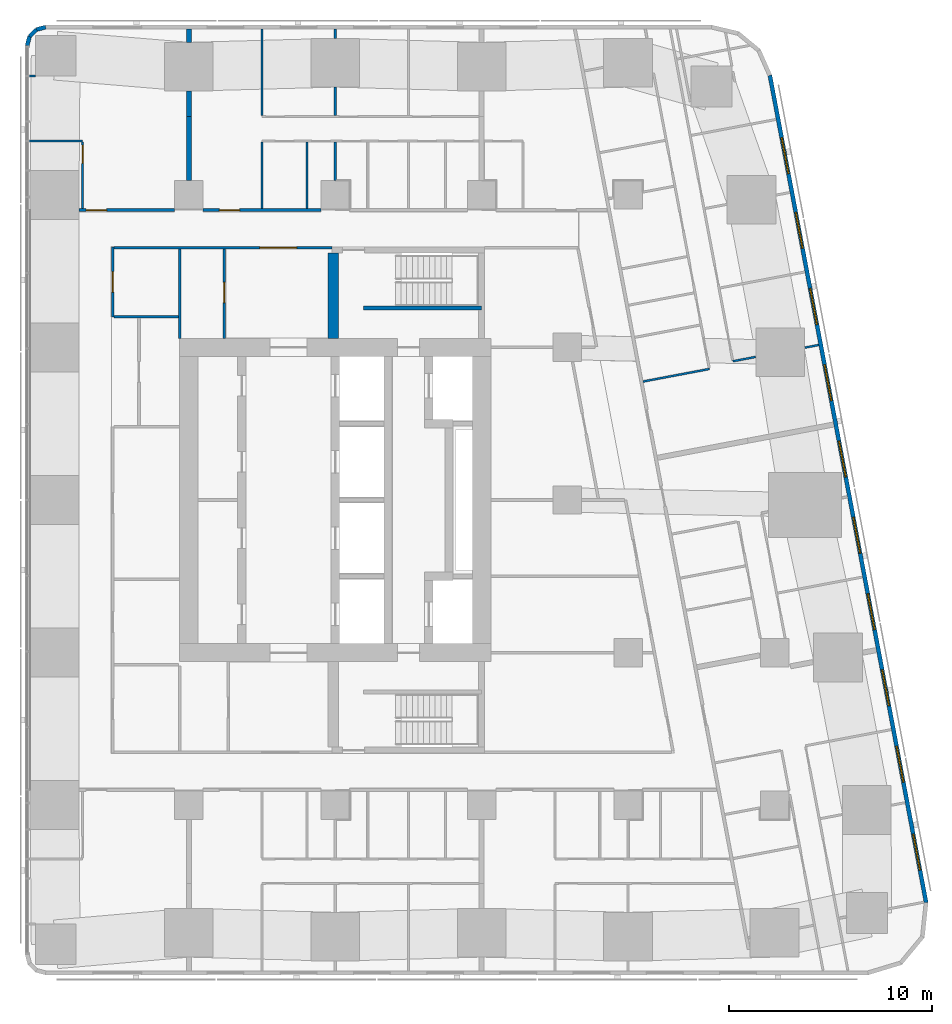
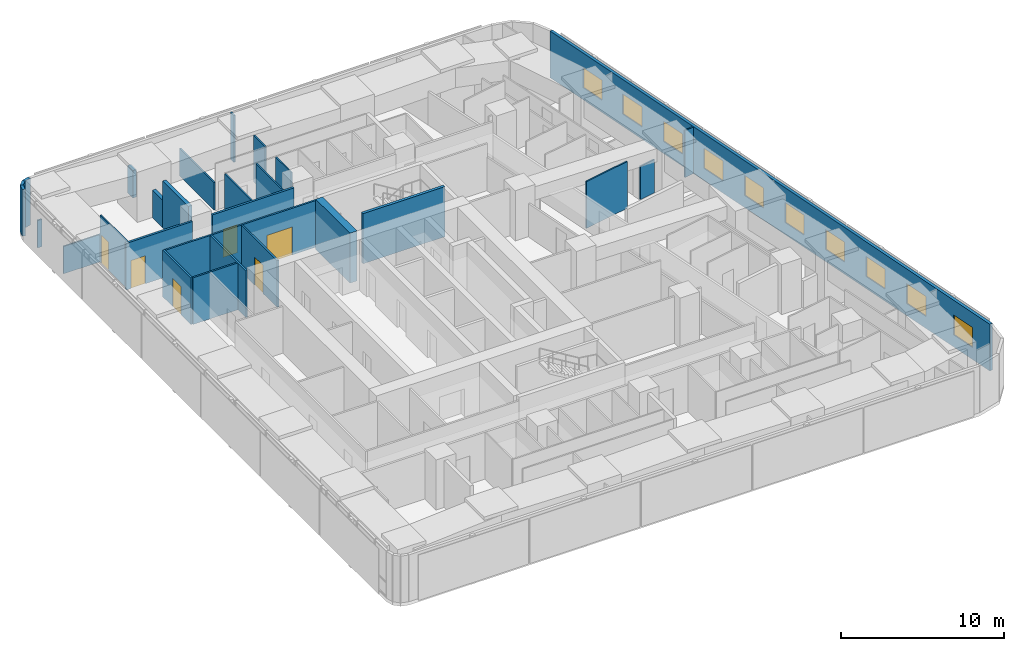
# One storey, part 15 of 19: 28 walls, 10 windows, 6 doors, 16 openings.
"""IFC4 building model written with IfcOpenShell, lengths in metres."""

from ifc_helpers import new_model, si_unit, direction, frame, frame_2d, origin, place, context, subcontext, project, spatial, rectangle, extrude, material, layer, layer_set, type_object, element, fill, save


model = new_model("IFC4")

# Units and contexts
model_context = context("Model", 3, precision=1e-05, world=origin(), true_north=direction((0.0, 1.0)))
body_context = subcontext(model_context, "Body", "Model", "MODEL_VIEW")
ifc_project = project(units=[si_unit("LENGTHUNIT", "METRE"), si_unit("AREAUNIT", "SQUARE_METRE"), si_unit("VOLUMEUNIT", "CUBIC_METRE"), si_unit("PLANEANGLEUNIT", "RADIAN"), si_unit("MASSUNIT", "GRAM", prefix="KILO")], contexts=[model_context])

# Site, building, storey
site_placement = place(None, origin())
site = spatial("IfcSite", under=ifc_project, at=site_placement, CompositionType="ELEMENT")
building_placement = place(site_placement, origin())
building = spatial("IfcBuilding", under=site, at=building_placement, Name="Sheger Commons Tower", CompositionType="ELEMENT")
storey_placement = place(building_placement, frame((0.0, 0.0, 197.449951171875)))
storey = spatial("IfcBuildingStorey", under=building, at=storey_placement, Name="L50", CompositionType="ELEMENT", Elevation=197.449951171875)

# Wall, opening, door
ifc_material_1 = material(Name="Hollow concrete block masonry, skimmed both sides", Category="masonry")
ifc_layer_1 = layer(ifc_material_1, 0.14990234375)
ifc_layer_set_1 = layer_set([ifc_layer_1], Name="CORRIDOR WALL 150")
wall_type_1 = type_object("IfcWallType", Name="CORRIDOR WALL 150", PredefinedType="SOLIDWALL", material=ifc_layer_set_1)
wall_1_placement = place(storey_placement, frame((9.0009765625, 36.75, 0.0), z_axis=(0.0, 0.0, 1.0), x_axis=(1.0, 0.0, 0.0)))
wall_1 = element("IfcWall", 1, at=wall_1_placement, inside=storey, type_object=wall_type_1, Name="Corridor wall L50", PredefinedType="SOLIDWALL", context=body_context, shape_type="SweptSolid", body=[
    extrude(rectangle(XDim=4.697998046875, YDim=0.14990234375, at=frame_2d((2.34912109375, 0.0))), origin(), (0.0, 0.0, 1.0), 3.5),
])
opening_1_placement = place(wall_1_placement, frame((0.35302734375, 0.0, 0.0)))
opening_1 = element("IfcOpeningElement", 2, at=opening_1_placement, cuts=wall_1, Name="Opening D1", PredefinedType="OPENING", context=body_context, shape_type="SweptSolid", body=[
    extrude(rectangle(XDim=1.0, YDim=2.10009765625, at=frame_2d((0.5, 1.050048828125))), frame((0.0, 0.0849609375, 0.0), z_axis=(0.0, -1.0, 0.0), x_axis=(1.0, 0.0, 0.0)), (0.0, 0.0, 1.0), 0.169921875),
])
ifc_material_2 = material(Name="Steel door set, fire rated", Category="steel")
door_type_1 = type_object("IfcDoorType", Name="FLAT ENTRANCE DOOR 1000x2100", OperationType="NOTDEFINED", PredefinedType="DOOR", material=ifc_material_2)
door_1_placement = place(opening_1_placement, origin())
door_1 = element("IfcDoor", 3, at=door_1_placement, inside=storey, type_object=door_type_1, Name="Flat entrance door", OperationType="SINGLE_SWING_RIGHT", OverallHeight=2.10009765625, OverallWidth=1.0, PredefinedType="DOOR", context=body_context, shape_type="SweptSolid", body=[
    extrude(rectangle(XDim=1.0, YDim=2.10009765625, at=frame_2d((0.5, 1.050048828125))), frame((0.0, 0.02490234375, 0.0), z_axis=(0.0, -1.0, 0.0), x_axis=(1.0, 0.0, 0.0)), (0.0, 0.0, 1.0), 0.050048828125),
])
fill(opening_1, door_1)

wall_2_placement = place(storey_placement, frame((15.10107421875, 36.75, 0.0), z_axis=(0.0, 0.0, 1.0), x_axis=(1.0, 0.0, 0.0)))
wall_2 = element("IfcWall", 4, at=wall_2_placement, inside=storey, type_object=wall_type_1, Name="Corridor wall L50", PredefinedType="SOLIDWALL", context=body_context, shape_type="SweptSolid", body=[
    extrude(rectangle(XDim=5.7978515625, YDim=0.14990234375, at=frame_2d((2.89892578125, 0.0))), origin(), (0.0, 0.0, 1.0), 3.5),
])
opening_2_placement = place(wall_2_placement, frame((0.799072265625, 0.0, 0.0)))
opening_2 = element("IfcOpeningElement", 5, at=opening_2_placement, cuts=wall_2, Name="Opening D1", PredefinedType="OPENING", context=body_context, shape_type="SweptSolid", body=[
    extrude(rectangle(XDim=1.0, YDim=2.10009765625, at=frame_2d((0.5, 1.050048828125))), frame((0.0, 0.0849609375, 0.0), z_axis=(0.0, -1.0, 0.0), x_axis=(1.0, 0.0, 0.0)), (0.0, 0.0, 1.0), 0.169921875),
])
door_2_placement = place(opening_2_placement, origin())
door_2 = element("IfcDoor", 6, at=door_2_placement, inside=storey, type_object=door_type_1, Name="Flat entrance door", OperationType="SINGLE_SWING_LEFT", OverallHeight=2.10009765625, OverallWidth=1.0, PredefinedType="DOOR", context=body_context, shape_type="SweptSolid", body=[
    extrude(rectangle(XDim=1.0, YDim=2.10009765625, at=frame_2d((0.5, 1.050048828125))), frame((0.0, 0.02490234375, 0.0), z_axis=(0.0, -1.0, 0.0), x_axis=(1.0, 0.0, 0.0)), (0.0, 0.0, 1.0), 0.050048828125),
])
fill(opening_2, door_2)

# Walls
ifc_material_3 = material(Name="Dense concrete block masonry, plastered both sides (separating wall between flats)", Category="masonry")
ifc_layer_2 = layer(ifc_material_3, 0.25)
ifc_layer_set_2 = layer_set([ifc_layer_2], Name="DEMISING WALL 250")
wall_type_2 = type_object("IfcWallType", Name="DEMISING WALL 250", PredefinedType="SOLIDWALL", material=ifc_layer_set_2)
wall_3_placement = place(storey_placement, frame((14.39990234375, 41.35009765625, 0.0), z_axis=(0.0, 0.0, 1.0), x_axis=(0.0, 1.0, 0.0)))
element("IfcWall", 7, at=wall_3_placement, inside=storey, type_object=wall_type_2, Name="Demising wall L50", PredefinedType="SOLIDWALL", context=body_context, shape_type="SweptSolid", body=[
    extrude(rectangle(XDim=1.2490234375, YDim=0.25, at=frame_2d((0.62451171875, 0.0))), origin(), (0.0, 0.0, 1.0), 2.050048828125),
])
wall_4_placement = place(storey_placement, frame((14.39990234375, 45.0009765625, 0.0), z_axis=(0.0, 0.0, 1.0), x_axis=(0.0, 1.0, 0.0)))
element("IfcWall", 8, at=wall_4_placement, inside=storey, type_object=wall_type_2, Name="Demising wall L50", PredefinedType="SOLIDWALL", context=body_context, shape_type="SweptSolid", body=[
    extrude(rectangle(XDim=0.64892578125, YDim=0.25, at=frame_2d((0.324462890625, 0.0))), origin(), (0.0, 0.0, 1.0), 2.050048828125),
])
wall_5_placement = place(storey_placement, frame((14.39990234375, 38.200927734375, 0.0), z_axis=(0.0, 0.0, 1.0), x_axis=(0.0, 1.0, 0.0)))
element("IfcWall", 9, at=wall_5_placement, inside=storey, type_object=wall_type_2, Name="Demising wall L50", PredefinedType="SOLIDWALL", context=body_context, shape_type="SweptSolid", body=[
    extrude(rectangle(XDim=3.149169921875, YDim=0.25, at=frame_2d((1.57470703125, 0.0))), origin(), (0.0, 0.0, 1.0), 3.5),
])

# Wall, openings, windows
ifc_material_4 = material(Name="Rendered concrete block masonry, dark grey", Category="masonry")
ifc_layer_3 = layer(ifc_material_4, 0.199951171875)
ifc_layer_set_3 = layer_set([ifc_layer_3], Name="FACADE WALL 200")
wall_type_3 = type_object("IfcWallType", Name="FACADE WALL 200", PredefinedType="SOLIDWALL", material=ifc_layer_set_3)
wall_6_placement = place(storey_placement, frame((50.653076171875, 2.702880859375, 0.0), z_axis=(0.0, 0.0, 1.0), x_axis=(-0.185612026696, 0.982623109613, 0.0)))
wall_6 = element("IfcWall", 10, at=wall_6_placement, inside=storey, type_object=wall_type_3, Name="Facade wall L50", PredefinedType="SOLIDWALL", context=body_context, shape_type="SweptSolid", body=[
    extrude(rectangle(XDim=41.393310546875, YDim=0.199951171875, at=frame_2d((20.69677734375, 0.0))), origin(), (0.0, 0.0, 1.0), 3.5),
])
opening_3_placement = place(wall_6_placement, frame((1.633056640625, 0.0, 0.89990234375)))
opening_3 = element("IfcOpeningElement", 11, at=opening_3_placement, cuts=wall_6, Name="Opening W2", PredefinedType="OPENING", context=body_context, shape_type="SweptSolid", body=[
    extrude(rectangle(XDim=1.800048828125, YDim=1.5, at=frame_2d((0.89990234375, 0.75))), frame((0.0, 0.10986328125, 0.0), z_axis=(0.0, -1.0, 0.0), x_axis=(1.0, 0.0, 0.0)), (0.0, 0.0, 1.0), 0.219970703125),
])
opening_4_placement = place(wall_6_placement, frame((6.031982421875, 0.0, 0.89990234375)))
opening_4 = element("IfcOpeningElement", 12, at=opening_4_placement, cuts=wall_6, Name="Opening W2", PredefinedType="OPENING", context=body_context, shape_type="SweptSolid", body=[
    extrude(rectangle(XDim=1.800048828125, YDim=1.5, at=frame_2d((0.89990234375, 0.75))), frame((0.0, 0.10986328125, 0.0), z_axis=(0.0, -1.0, 0.0), x_axis=(1.0, 0.0, 0.0)), (0.0, 0.0, 1.0), 0.219970703125),
])
opening_5_placement = place(wall_6_placement, frame((9.847900390625, 0.0, 0.89990234375)))
opening_5 = element("IfcOpeningElement", 13, at=opening_5_placement, cuts=wall_6, Name="Opening W2", PredefinedType="OPENING", context=body_context, shape_type="SweptSolid", body=[
    extrude(rectangle(XDim=1.800048828125, YDim=1.5, at=frame_2d((0.89990234375, 0.75))), frame((0.0, 0.10986328125, 0.0), z_axis=(0.0, -1.0, 0.0), x_axis=(1.0, 0.0, 0.0)), (0.0, 0.0, 1.0), 0.219970703125),
])
opening_6_placement = place(wall_6_placement, frame((13.6640625, 0.0, 0.89990234375)))
opening_6 = element("IfcOpeningElement", 14, at=opening_6_placement, cuts=wall_6, Name="Opening W2", PredefinedType="OPENING", context=body_context, shape_type="SweptSolid", body=[
    extrude(rectangle(XDim=1.800048828125, YDim=1.5, at=frame_2d((0.89990234375, 0.75))), frame((0.0, 0.10986328125, 0.0), z_axis=(0.0, -1.0, 0.0), x_axis=(1.0, 0.0, 0.0)), (0.0, 0.0, 1.0), 0.219970703125),
])
opening_7_placement = place(wall_6_placement, frame((17.48095703125, 0.0, 0.89990234375)))
opening_7 = element("IfcOpeningElement", 15, at=opening_7_placement, cuts=wall_6, Name="Opening W2", PredefinedType="OPENING", context=body_context, shape_type="SweptSolid", body=[
    extrude(rectangle(XDim=1.800048828125, YDim=1.5, at=frame_2d((0.89990234375, 0.75))), frame((0.0, 0.10986328125, 0.0), z_axis=(0.0, -1.0, 0.0), x_axis=(1.0, 0.0, 0.0)), (0.0, 0.0, 1.0), 0.219970703125),
])
opening_8_placement = place(wall_6_placement, frame((21.297119140625, 0.0, 0.89990234375)))
opening_8 = element("IfcOpeningElement", 16, at=opening_8_placement, cuts=wall_6, Name="Opening W2", PredefinedType="OPENING", context=body_context, shape_type="SweptSolid", body=[
    extrude(rectangle(XDim=1.800048828125, YDim=1.5, at=frame_2d((0.89990234375, 0.75))), frame((0.0, 0.10986328125, 0.0), z_axis=(0.0, -1.0, 0.0), x_axis=(1.0, 0.0, 0.0)), (0.0, 0.0, 1.0), 0.219970703125),
])
opening_9_placement = place(wall_6_placement, frame((25.113037109375, 0.0, 0.89990234375)))
opening_9 = element("IfcOpeningElement", 17, at=opening_9_placement, cuts=wall_6, Name="Opening W2", PredefinedType="OPENING", context=body_context, shape_type="SweptSolid", body=[
    extrude(rectangle(XDim=1.800048828125, YDim=1.5, at=frame_2d((0.89990234375, 0.75))), frame((0.0, 0.10986328125, 0.0), z_axis=(0.0, -1.0, 0.0), x_axis=(1.0, 0.0, 0.0)), (0.0, 0.0, 1.0), 0.219970703125),
])
opening_10_placement = place(wall_6_placement, frame((28.929931640625, 0.0, 0.89990234375)))
opening_10 = element("IfcOpeningElement", 18, at=opening_10_placement, cuts=wall_6, Name="Opening W2", PredefinedType="OPENING", context=body_context, shape_type="SweptSolid", body=[
    extrude(rectangle(XDim=1.800048828125, YDim=1.5, at=frame_2d((0.89990234375, 0.75))), frame((0.0, 0.10986328125, 0.0), z_axis=(0.0, -1.0, 0.0), x_axis=(1.0, 0.0, 0.0)), (0.0, 0.0, 1.0), 0.219970703125),
])
opening_11_placement = place(wall_6_placement, frame((32.74609375, 0.0, 0.89990234375)))
opening_11 = element("IfcOpeningElement", 19, at=opening_11_placement, cuts=wall_6, Name="Opening W2", PredefinedType="OPENING", context=body_context, shape_type="SweptSolid", body=[
    extrude(rectangle(XDim=1.800048828125, YDim=1.5, at=frame_2d((0.89990234375, 0.75))), frame((0.0, 0.10986328125, 0.0), z_axis=(0.0, -1.0, 0.0), x_axis=(1.0, 0.0, 0.0)), (0.0, 0.0, 1.0), 0.219970703125),
])
opening_12_placement = place(wall_6_placement, frame((36.48095703125, 0.0, 0.89990234375)))
opening_12 = element("IfcOpeningElement", 20, at=opening_12_placement, cuts=wall_6, Name="Opening W2", PredefinedType="OPENING", context=body_context, shape_type="SweptSolid", body=[
    extrude(rectangle(XDim=1.800048828125, YDim=1.5, at=frame_2d((0.89990234375, 0.75))), frame((0.0, 0.10986328125, 0.0), z_axis=(0.0, -1.0, 0.0), x_axis=(1.0, 0.0, 0.0)), (0.0, 0.0, 1.0), 0.219970703125),
])
ifc_material_5 = material(Name="Black aluminium frame, dark tinted double glazing", Category="aluminium")
window_type = type_object("IfcWindowType", Name="WINDOW W2 1800x1500", PartitioningType="SINGLE_PANEL", PredefinedType="WINDOW", material=ifc_material_5)
window_1_placement = place(opening_3_placement, origin())
window_1 = element("IfcWindow", 21, at=window_1_placement, inside=storey, type_object=window_type, Name="Window W2 1800X1500", OverallHeight=1.5, OverallWidth=1.800048828125, PartitioningType="SINGLE_PANEL", PredefinedType="WINDOW", context=body_context, shape_type="SweptSolid", body=[
    extrude(rectangle(XDim=1.800048828125, YDim=1.5, at=frame_2d((0.89990234375, 0.75))), frame((0.0, 0.030029296875, 0.0), z_axis=(0.0, -1.0, 0.0), x_axis=(1.0, 0.0, 0.0)), (0.0, 0.0, 1.0), 0.06005859375),
])
fill(opening_3, window_1)
window_2_placement = place(opening_4_placement, origin())
window_2 = element("IfcWindow", 22, at=window_2_placement, inside=storey, type_object=window_type, Name="Window W2 1800X1500", OverallHeight=1.5, OverallWidth=1.800048828125, PartitioningType="SINGLE_PANEL", PredefinedType="WINDOW", context=body_context, shape_type="SweptSolid", body=[
    extrude(rectangle(XDim=1.800048828125, YDim=1.5, at=frame_2d((0.89990234375, 0.75))), frame((0.0, 0.030029296875, 0.0), z_axis=(0.0, -1.0, 0.0), x_axis=(1.0, 0.0, 0.0)), (0.0, 0.0, 1.0), 0.06005859375),
])
fill(opening_4, window_2)
window_3_placement = place(opening_5_placement, origin())
window_3 = element("IfcWindow", 23, at=window_3_placement, inside=storey, type_object=window_type, Name="Window W2 1800X1500", OverallHeight=1.5, OverallWidth=1.800048828125, PartitioningType="SINGLE_PANEL", PredefinedType="WINDOW", context=body_context, shape_type="SweptSolid", body=[
    extrude(rectangle(XDim=1.800048828125, YDim=1.5, at=frame_2d((0.89990234375, 0.75))), frame((0.0, 0.030029296875, 0.0), z_axis=(0.0, -1.0, 0.0), x_axis=(1.0, 0.0, 0.0)), (0.0, 0.0, 1.0), 0.06005859375),
])
fill(opening_5, window_3)
window_4_placement = place(opening_6_placement, origin())
window_4 = element("IfcWindow", 24, at=window_4_placement, inside=storey, type_object=window_type, Name="Window W2 1800X1500", OverallHeight=1.5, OverallWidth=1.800048828125, PartitioningType="SINGLE_PANEL", PredefinedType="WINDOW", context=body_context, shape_type="SweptSolid", body=[
    extrude(rectangle(XDim=1.800048828125, YDim=1.5, at=frame_2d((0.89990234375, 0.75))), frame((0.0, 0.030029296875, 0.0), z_axis=(0.0, -1.0, 0.0), x_axis=(1.0, 0.0, 0.0)), (0.0, 0.0, 1.0), 0.06005859375),
])
fill(opening_6, window_4)
window_5_placement = place(opening_7_placement, origin())
window_5 = element("IfcWindow", 25, at=window_5_placement, inside=storey, type_object=window_type, Name="Window W2 1800X1500", OverallHeight=1.5, OverallWidth=1.800048828125, PartitioningType="SINGLE_PANEL", PredefinedType="WINDOW", context=body_context, shape_type="SweptSolid", body=[
    extrude(rectangle(XDim=1.800048828125, YDim=1.5, at=frame_2d((0.89990234375, 0.75))), frame((0.0, 0.030029296875, 0.0), z_axis=(0.0, -1.0, 0.0), x_axis=(1.0, 0.0, 0.0)), (0.0, 0.0, 1.0), 0.06005859375),
])
fill(opening_7, window_5)
window_6_placement = place(opening_8_placement, origin())
window_6 = element("IfcWindow", 26, at=window_6_placement, inside=storey, type_object=window_type, Name="Window W2 1800X1500", OverallHeight=1.5, OverallWidth=1.800048828125, PartitioningType="SINGLE_PANEL", PredefinedType="WINDOW", context=body_context, shape_type="SweptSolid", body=[
    extrude(rectangle(XDim=1.800048828125, YDim=1.5, at=frame_2d((0.89990234375, 0.75))), frame((0.0, 0.030029296875, 0.0), z_axis=(0.0, -1.0, 0.0), x_axis=(1.0, 0.0, 0.0)), (0.0, 0.0, 1.0), 0.06005859375),
])
fill(opening_8, window_6)
window_7_placement = place(opening_9_placement, origin())
window_7 = element("IfcWindow", 27, at=window_7_placement, inside=storey, type_object=window_type, Name="Window W2 1800X1500", OverallHeight=1.5, OverallWidth=1.800048828125, PartitioningType="SINGLE_PANEL", PredefinedType="WINDOW", context=body_context, shape_type="SweptSolid", body=[
    extrude(rectangle(XDim=1.800048828125, YDim=1.5, at=frame_2d((0.89990234375, 0.75))), frame((0.0, 0.030029296875, 0.0), z_axis=(0.0, -1.0, 0.0), x_axis=(1.0, 0.0, 0.0)), (0.0, 0.0, 1.0), 0.06005859375),
])
fill(opening_9, window_7)
window_8_placement = place(opening_10_placement, origin())
window_8 = element("IfcWindow", 28, at=window_8_placement, inside=storey, type_object=window_type, Name="Window W2 1800X1500", OverallHeight=1.5, OverallWidth=1.800048828125, PartitioningType="SINGLE_PANEL", PredefinedType="WINDOW", context=body_context, shape_type="SweptSolid", body=[
    extrude(rectangle(XDim=1.800048828125, YDim=1.5, at=frame_2d((0.89990234375, 0.75))), frame((0.0, 0.030029296875, 0.0), z_axis=(0.0, -1.0, 0.0), x_axis=(1.0, 0.0, 0.0)), (0.0, 0.0, 1.0), 0.06005859375),
])
fill(opening_10, window_8)
window_9_placement = place(opening_11_placement, origin())
window_9 = element("IfcWindow", 29, at=window_9_placement, inside=storey, type_object=window_type, Name="Window W2 1800X1500", OverallHeight=1.5, OverallWidth=1.800048828125, PartitioningType="SINGLE_PANEL", PredefinedType="WINDOW", context=body_context, shape_type="SweptSolid", body=[
    extrude(rectangle(XDim=1.800048828125, YDim=1.5, at=frame_2d((0.89990234375, 0.75))), frame((0.0, 0.030029296875, 0.0), z_axis=(0.0, -1.0, 0.0), x_axis=(1.0, 0.0, 0.0)), (0.0, 0.0, 1.0), 0.06005859375),
])
fill(opening_11, window_9)
window_10_placement = place(opening_12_placement, origin())
window_10 = element("IfcWindow", 30, at=window_10_placement, inside=storey, type_object=window_type, Name="Window W2 1800X1500", OverallHeight=1.5, OverallWidth=1.800048828125, PartitioningType="SINGLE_PANEL", PredefinedType="WINDOW", context=body_context, shape_type="SweptSolid", body=[
    extrude(rectangle(XDim=1.800048828125, YDim=1.5, at=frame_2d((0.89990234375, 0.75))), frame((0.0, 0.030029296875, 0.0), z_axis=(0.0, -1.0, 0.0), x_axis=(1.0, 0.0, 0.0)), (0.0, 0.0, 1.0), 0.06005859375),
])
fill(opening_12, window_10)

# Walls
wall_7_placement = place(storey_placement, frame((7.363037109375, 45.75, 0.0), z_axis=(0.0, 0.0, 1.0), x_axis=(-0.965655254015, -0.259826731483, 0.0)))
element("IfcWall", 31, at=wall_7_placement, inside=storey, type_object=wall_type_3, Name="Facade wall L50", PredefinedType="SOLIDWALL", context=body_context, shape_type="SweptSolid", body=[
    extrude(rectangle(XDim=0.477294921875, YDim=0.199951171875, at=frame_2d((0.23876953125, 0.0))), origin(), (0.0, 0.0, 1.0), 3.5),
])
wall_8_placement = place(storey_placement, frame((6.902099609375, 45.6259765625, 0.0), z_axis=(0.0, 0.0, 1.0), x_axis=(-0.707369890659, -0.706843573776, 0.0)))
element("IfcWall", 32, at=wall_8_placement, inside=storey, type_object=wall_type_3, Name="Facade wall L50", PredefinedType="SOLIDWALL", context=body_context, shape_type="SweptSolid", body=[
    extrude(rectangle(XDim=0.4638671875, YDim=0.199951171875, at=frame_2d((0.23193359375, 0.0))), origin(), (0.0, 0.0, 1.0), 3.5),
])
wall_9_placement = place(storey_placement, frame((6.573974609375, 45.298095703125, 0.0), z_axis=(0.0, 0.0, 1.0), x_axis=(-0.259698463175, -0.965689757751, 0.0)))
element("IfcWall", 33, at=wall_9_placement, inside=storey, type_object=wall_type_3, Name="Facade wall L50", PredefinedType="SOLIDWALL", context=body_context, shape_type="SweptSolid", body=[
    extrude(rectangle(XDim=0.4775390625, YDim=0.199951171875, at=frame_2d((0.23876953125, 0.0))), origin(), (0.0, 0.0, 1.0), 3.5),
])
ifc_material_6 = material(Name="Gypsum board on steel studs", Category="steel")
ifc_layer_4 = layer(ifc_material_6, 0.10009765625)
ifc_layer_set_4 = layer_set([ifc_layer_4], Name="PARTITION 100")
wall_type_4 = type_object("IfcWallType", Name="PARTITION 100", PredefinedType="PARTITIONING", material=ifc_layer_set_4)
wall_10_placement = place(storey_placement, frame((45.3720703125, 30.12109375, 0.0), z_axis=(0.0, 0.0, 1.0), x_axis=(-0.98254419619, -0.186029305578, 0.0)))
element("IfcWall", 34, at=wall_10_placement, inside=storey, type_object=wall_type_4, Name="Partition L50", PredefinedType="PARTITIONING", context=body_context, shape_type="SweptSolid", body=[
    extrude(rectangle(XDim=0.6943359375, YDim=0.10009765625, at=frame_2d((0.34716796875, 0.0))), origin(), (0.0, 0.0, 1.0), 3.5),
])
wall_11_placement = place(storey_placement, frame((42.27001953125, 29.534912109375, 0.0), z_axis=(0.0, 0.0, 1.0), x_axis=(-0.982502700549, -0.186248338017, 0.0)))
element("IfcWall", 35, at=wall_11_placement, inside=storey, type_object=wall_type_4, Name="Partition L50", PredefinedType="PARTITIONING", context=body_context, shape_type="SweptSolid", body=[
    extrude(rectangle(XDim=1.14306640625, YDim=0.10009765625, at=frame_2d((0.571533203125, 0.0))), origin(), (0.0, 0.0, 1.0), 2.5),
])
wall_12_placement = place(storey_placement, frame((39.9970703125, 28.94189453125, 0.0), z_axis=(0.0, 0.0, 1.0), x_axis=(-0.982569883123, -0.185893584556, 0.0)))
element("IfcWall", 36, at=wall_12_placement, inside=storey, type_object=wall_type_4, Name="Partition L50", PredefinedType="PARTITIONING", context=body_context, shape_type="SweptSolid", body=[
    extrude(rectangle(XDim=3.323974609375, YDim=0.10009765625, at=frame_2d((1.662109375, 0.0))), origin(), (0.0, 0.0, 1.0), 3.5),
])
wall_13_placement = place(storey_placement, frame((6.85400390625, 43.345947265625, 0.0), z_axis=(0.0, 0.0, 1.0), x_axis=(-1.0, 0.0, 0.0)))
element("IfcWall", 37, at=wall_13_placement, inside=storey, type_object=wall_type_4, Name="Partition L50", PredefinedType="PARTITIONING", context=body_context, shape_type="SweptSolid", body=[
    extrude(rectangle(XDim=0.303955078125, YDim=0.10009765625, at=frame_2d((0.15185546875, 0.0))), origin(), (0.0, 0.0, 1.0), 2.050048828125),
])
wall_14_placement = place(storey_placement, frame((6.550048828125, 40.14990234375, 0.0), z_axis=(0.0, 0.0, 1.0), x_axis=(1.0, 0.0, 0.0)))
element("IfcWall", 38, at=wall_14_placement, inside=storey, type_object=wall_type_4, Name="Partition L50", PredefinedType="PARTITIONING", context=body_context, shape_type="SweptSolid", body=[
    extrude(rectangle(XDim=2.62890625, YDim=0.10009765625, at=frame_2d((1.314453125, 0.0))), origin(), (0.0, 0.0, 1.0), 2.050048828125),
])

# Wall, opening, door
wall_15_placement = place(storey_placement, frame((9.178955078125, 36.824951171875, 0.0), z_axis=(0.0, 0.0, 1.0), x_axis=(0.0, 1.0, 0.0)))
wall_15 = element("IfcWall", 39, at=wall_15_placement, inside=storey, type_object=wall_type_4, Name="Partition L50", PredefinedType="PARTITIONING", context=body_context, shape_type="SweptSolid", body=[
    extrude(rectangle(XDim=3.275146484375, YDim=0.10009765625, at=frame_2d((1.6376953125, 0.0))), origin(), (0.0, 0.0, 1.0), 3.5),
])
opening_13_placement = place(wall_15_placement, frame((2.22509765625, 0.0, 0.0)))
opening_13 = element("IfcOpeningElement", 40, at=opening_13_placement, cuts=wall_15, Name="Opening D2", PredefinedType="OPENING", context=body_context, shape_type="SweptSolid", body=[
    extrude(rectangle(XDim=0.89990234375, YDim=2.10009765625, at=frame_2d((0.449951171875, 1.050048828125))), frame((0.0, 0.06005859375, 0.0), z_axis=(0.0, -1.0, 0.0), x_axis=(1.0, 0.0, 0.0)), (0.0, 0.0, 1.0), 0.1201171875),
])
ifc_material_7 = material(Name="Timber door set", Category="wood")
door_type_2 = type_object("IfcDoorType", Name="INTERNAL DOOR 900x2100", OperationType="NOTDEFINED", PredefinedType="DOOR", material=ifc_material_7)
door_3_placement = place(opening_13_placement, origin())
door_3 = element("IfcDoor", 41, at=door_3_placement, inside=storey, type_object=door_type_2, Name="Shower room door", OperationType="SINGLE_SWING_RIGHT", OverallHeight=2.10009765625, OverallWidth=0.89990234375, PredefinedType="DOOR", context=body_context, shape_type="SweptSolid", body=[
    extrude(rectangle(XDim=0.89990234375, YDim=2.10009765625, at=frame_2d((0.449951171875, 1.050048828125))), frame((0.0, 0.02490234375, 0.0), z_axis=(0.0, -1.0, 0.0), x_axis=(1.0, 0.0, 0.0)), (0.0, 0.0, 1.0), 0.050048828125),
])
fill(opening_13, door_3)

# Walls
wall_16_placement = place(storey_placement, frame((18.0, 41.39990234375, 0.0), z_axis=(0.0, 0.0, 1.0), x_axis=(0.0, 1.0, 0.0)))
element("IfcWall", 42, at=wall_16_placement, inside=storey, type_object=wall_type_4, Name="Partition L50", PredefinedType="PARTITIONING", context=body_context, shape_type="SweptSolid", body=[
    extrude(rectangle(XDim=4.25, YDim=0.10009765625, at=frame_2d((2.125, 0.0))), origin(), (0.0, 0.0, 1.0), 2.050048828125),
])
wall_17_placement = place(storey_placement, frame((21.60009765625, 41.39990234375, 0.0), z_axis=(0.0, 0.0, 1.0), x_axis=(0.0, 1.0, 0.0)))
element("IfcWall", 43, at=wall_17_placement, inside=storey, type_object=wall_type_4, Name="Partition L50", PredefinedType="PARTITIONING", context=body_context, shape_type="SweptSolid", body=[
    extrude(rectangle(XDim=1.399169921875, YDim=0.10009765625, at=frame_2d((0.69970703125, 0.0))), origin(), (0.0, 0.0, 1.0), 3.5),
])
wall_18_placement = place(storey_placement, frame((21.60009765625, 45.200927734375, 0.0), z_axis=(0.0, 0.0, 1.0), x_axis=(0.0, 1.0, 0.0)))
element("IfcWall", 44, at=wall_18_placement, inside=storey, type_object=wall_type_4, Name="Partition L50", PredefinedType="PARTITIONING", context=body_context, shape_type="SweptSolid", body=[
    extrude(rectangle(XDim=0.448974609375, YDim=0.10009765625, at=frame_2d((0.224609375, 0.0))), origin(), (0.0, 0.0, 1.0), 3.5),
])
wall_19_placement = place(storey_placement, frame((18.0, 36.824951171875, 0.0), z_axis=(0.0, 0.0, 1.0), x_axis=(0.0, 1.0, 0.0)))
element("IfcWall", 45, at=wall_19_placement, inside=storey, type_object=wall_type_4, Name="Partition L50", PredefinedType="PARTITIONING", context=body_context, shape_type="SweptSolid", body=[
    extrude(rectangle(XDim=3.275146484375, YDim=0.10009765625, at=frame_2d((1.6376953125, 0.0))), origin(), (0.0, 0.0, 1.0), 3.5),
])
wall_20_placement = place(storey_placement, frame((21.60009765625, 38.200927734375, 0.0), z_axis=(0.0, 0.0, 1.0), x_axis=(0.0, 1.0, 0.0)))
element("IfcWall", 46, at=wall_20_placement, inside=storey, type_object=wall_type_4, Name="Partition L50", PredefinedType="PARTITIONING", context=body_context, shape_type="SweptSolid", body=[
    extrude(rectangle(XDim=1.899169921875, YDim=0.10009765625, at=frame_2d((0.94970703125, 0.0))), origin(), (0.0, 0.0, 1.0), 3.5),
])
wall_21_placement = place(storey_placement, frame((20.2099609375, 36.824951171875, 0.0), z_axis=(0.0, 0.0, 1.0), x_axis=(0.0, 1.0, 0.0)))
element("IfcWall", 47, at=wall_21_placement, inside=storey, type_object=wall_type_4, Name="Partition L50", PredefinedType="PARTITIONING", context=body_context, shape_type="SweptSolid", body=[
    extrude(rectangle(XDim=3.275146484375, YDim=0.10009765625, at=frame_2d((1.6376953125, 0.0))), origin(), (0.0, 0.0, 1.0), 3.5),
])

# Wall, opening, door
ifc_material_8 = material(Name="Gypsum board on steel studs, two layers each side, fire rated", Category="steel")
ifc_layer_5 = layer(ifc_material_8, 0.125)
ifc_layer_set_5 = layer_set([ifc_layer_5], Name="SERVICE WALL 125")
wall_type_5 = type_object("IfcWallType", Name="SERVICE WALL 125", PredefinedType="PARTITIONING", material=ifc_layer_set_5)
wall_22_placement = place(storey_placement, frame((10.64990234375, 31.5, 0.0), z_axis=(0.0, 0.0, 1.0), x_axis=(0.0, 1.0, 0.0)))
wall_22 = element("IfcWall", 48, at=wall_22_placement, inside=storey, type_object=wall_type_5, Name="Service room wall L50", PredefinedType="PARTITIONING", context=body_context, shape_type="SweptSolid", body=[
    extrude(rectangle(XDim=3.449951171875, YDim=0.125, at=frame_2d((1.72509765625, 0.0))), origin(), (0.0, 0.0, 1.0), 3.5),
])
opening_14_placement = place(wall_22_placement, frame((1.22509765625, 0.0, 0.0)))
opening_14 = element("IfcOpeningElement", 49, at=opening_14_placement, cuts=wall_22, Name="Opening D4", PredefinedType="OPENING", context=body_context, shape_type="SweptSolid", body=[
    extrude(rectangle(XDim=1.0, YDim=2.10009765625, at=frame_2d((0.5, 1.050048828125))), frame((0.0, 0.072509765625, 0.0), z_axis=(0.0, -1.0, 0.0), x_axis=(1.0, 0.0, 0.0)), (0.0, 0.0, 1.0), 0.14501953125),
])
ifc_material_9 = material(Name="Steel door set, fire rated", Category="steel")
door_type_3 = type_object("IfcDoorType", Name="SERVICE DOOR 1000x2100", OperationType="NOTDEFINED", PredefinedType="DOOR", material=ifc_material_9)
door_4_placement = place(opening_14_placement, origin())
door_4 = element("IfcDoor", 50, at=door_4_placement, inside=storey, type_object=door_type_3, Name="Cleaner's store door", OperationType="SINGLE_SWING_LEFT", OverallHeight=2.10009765625, OverallWidth=1.0, PredefinedType="DOOR", context=body_context, shape_type="SweptSolid", body=[
    extrude(rectangle(XDim=1.0, YDim=2.10009765625, at=frame_2d((0.5, 1.050048828125))), frame((0.0, 0.02490234375, 0.0), z_axis=(0.0, -1.0, 0.0), x_axis=(1.0, 0.0, 0.0)), (0.0, 0.0, 1.0), 0.050048828125),
])
fill(opening_14, door_4)

# Walls
wall_23_placement = place(storey_placement, frame((10.712890625, 31.5, 0.0), z_axis=(0.0, 0.0, 1.0), x_axis=(1.0, 0.0, 0.0)))
element("IfcWall", 51, at=wall_23_placement, inside=storey, type_object=wall_type_5, Name="Service room wall L50", PredefinedType="PARTITIONING", context=body_context, shape_type="SweptSolid", body=[
    extrude(rectangle(XDim=3.175048828125, YDim=0.125, at=frame_2d((1.58740234375, 0.0))), origin(), (0.0, 0.0, 1.0), 3.5),
])
wall_24_placement = place(storey_placement, frame((13.949951171875, 30.449951171875, 0.0), z_axis=(0.0, 0.0, 1.0), x_axis=(0.0, 1.0, 0.0)))
element("IfcWall", 52, at=wall_24_placement, inside=storey, type_object=wall_type_5, Name="Service room wall L50", PredefinedType="PARTITIONING", context=body_context, shape_type="SweptSolid", body=[
    extrude(rectangle(XDim=4.386962890625, YDim=0.125, at=frame_2d((2.193359375, 0.0))), origin(), (0.0, 0.0, 1.0), 3.5),
])

# Wall, opening, door
wall_25_placement = place(storey_placement, frame((10.712890625, 34.89990234375, 0.0), z_axis=(0.0, 0.0, 1.0), x_axis=(1.0, 0.0, 0.0)))
wall_25 = element("IfcWall", 53, at=wall_25_placement, inside=storey, type_object=wall_type_5, Name="Service room wall L50", PredefinedType="PARTITIONING", context=body_context, shape_type="SweptSolid", body=[
    extrude(rectangle(XDim=10.737060546875, YDim=0.125, at=frame_2d((5.36865234375, 0.0))), origin(), (0.0, 0.0, 1.0), 3.5),
])
opening_15_placement = place(wall_25_placement, frame((7.18701171875, 0.0, 0.0)))
opening_15 = element("IfcOpeningElement", 54, at=opening_15_placement, cuts=wall_25, Name="Opening D6", PredefinedType="OPENING", context=body_context, shape_type="SweptSolid", body=[
    extrude(rectangle(XDim=1.800048828125, YDim=2.10009765625, at=frame_2d((0.89990234375, 1.050048828125))), frame((0.0, 0.072509765625, 0.0), z_axis=(0.0, -1.0, 0.0), x_axis=(1.0, 0.0, 0.0)), (0.0, 0.0, 1.0), 0.14501953125),
])
ifc_material_10 = material(Name="Steel door set, fire rated", Category="steel")
door_type_4 = type_object("IfcDoorType", Name="LOBBY DOUBLE DOOR 1800x2100", OperationType="DOUBLE_DOOR_SINGLE_SWING", PredefinedType="DOOR", material=ifc_material_10)
door_5_placement = place(opening_15_placement, origin())
door_5 = element("IfcDoor", 55, at=door_5_placement, inside=storey, type_object=door_type_4, Name="Lift lobby north door", OperationType="DOUBLE_DOOR_SINGLE_SWING", OverallHeight=2.10009765625, OverallWidth=1.800048828125, PredefinedType="DOOR", context=body_context, shape_type="SweptSolid", body=[
    extrude(rectangle(XDim=1.800048828125, YDim=2.10009765625, at=frame_2d((0.89990234375, 1.050048828125))), frame((0.0, 0.02490234375, 0.0), z_axis=(0.0, -1.0, 0.0), x_axis=(1.0, 0.0, 0.0)), (0.0, 0.0, 1.0), 0.050048828125),
])
fill(opening_15, door_5)

wall_26_placement = place(storey_placement, frame((16.14990234375, 30.449951171875, 0.0), z_axis=(0.0, 0.0, 1.0), x_axis=(0.0, 1.0, 0.0)))
wall_26 = element("IfcWall", 56, at=wall_26_placement, inside=storey, type_object=wall_type_5, Name="Service room wall L50", PredefinedType="PARTITIONING", context=body_context, shape_type="SweptSolid", body=[
    extrude(rectangle(XDim=4.386962890625, YDim=0.125, at=frame_2d((2.193359375, 0.0))), origin(), (0.0, 0.0, 1.0), 3.5),
])
opening_16_placement = place(wall_26_placement, frame((1.75, 0.0, 0.0)))
opening_16 = element("IfcOpeningElement", 57, at=opening_16_placement, cuts=wall_26, Name="Opening D4", PredefinedType="OPENING", context=body_context, shape_type="SweptSolid", body=[
    extrude(rectangle(XDim=1.0, YDim=2.10009765625, at=frame_2d((0.5, 1.050048828125))), frame((0.0, 0.072509765625, 0.0), z_axis=(0.0, -1.0, 0.0), x_axis=(1.0, 0.0, 0.0)), (0.0, 0.0, 1.0), 0.14501953125),
])
door_6_placement = place(opening_16_placement, origin())
door_6 = element("IfcDoor", 58, at=door_6_placement, inside=storey, type_object=door_type_3, Name="Telecom room door", OperationType="SINGLE_SWING_RIGHT", OverallHeight=2.10009765625, OverallWidth=1.0, PredefinedType="DOOR", context=body_context, shape_type="SweptSolid", body=[
    extrude(rectangle(XDim=1.0, YDim=2.10009765625, at=frame_2d((0.5, 1.050048828125))), frame((0.0, 0.02490234375, 0.0), z_axis=(0.0, -1.0, 0.0), x_axis=(1.0, 0.0, 0.0)), (0.0, 0.0, 1.0), 0.050048828125),
])
fill(opening_16, door_6)

# Walls
ifc_material_11 = material(Name="Concrete C50/60", Category="concrete")
ifc_layer_6 = layer(ifc_material_11, 0.5)
ifc_layer_set_6 = layer_set([ifc_layer_6], Name="STAIR CORE WALL 500")
wall_type_6 = type_object("IfcWallType", Name="STAIR CORE WALL 500", PredefinedType="SHEAR", material=ifc_layer_set_6)
wall_27_placement = place(storey_placement, frame((21.5, 30.449951171875, 0.0), z_axis=(0.0, 0.0, 1.0), x_axis=(0.0, 1.0, 0.0)))
element("IfcWall", 59, at=wall_27_placement, inside=storey, type_object=wall_type_6, Name="STW-L50-S2W", PredefinedType="SHEAR", context=body_context, shape_type="SweptSolid", body=[
    extrude(rectangle(XDim=4.199951171875, YDim=0.5, at=frame_2d((2.10009765625, 0.0))), origin(), (0.0, 0.0, 1.0), 3.75),
])
ifc_material_12 = material(Name="Concrete C50/60", Category="concrete")
ifc_layer_7 = layer(ifc_material_12, 0.199951171875)
ifc_layer_set_7 = layer_set([ifc_layer_7], Name="STAIR SPINE WALL 200")
wall_type_7 = type_object("IfcWallType", Name="STAIR SPINE WALL 200", PredefinedType="SHEAR", material=ifc_layer_set_7)
wall_28_placement = place(storey_placement, frame((23.0, 31.949951171875, 0.0), z_axis=(0.0, 0.0, 1.0), x_axis=(1.0, 0.0, 0.0)))
element("IfcWall", 60, at=wall_28_placement, inside=storey, type_object=wall_type_7, Name="Stair spine wall L50", PredefinedType="SHEAR", context=body_context, shape_type="SweptSolid", body=[
    extrude(rectangle(XDim=5.800048828125, YDim=0.199951171875, at=frame_2d((2.89990234375, 0.0))), origin(), (0.0, 0.0, 1.0), 3.75),
])

save(model, "model.ifc")
